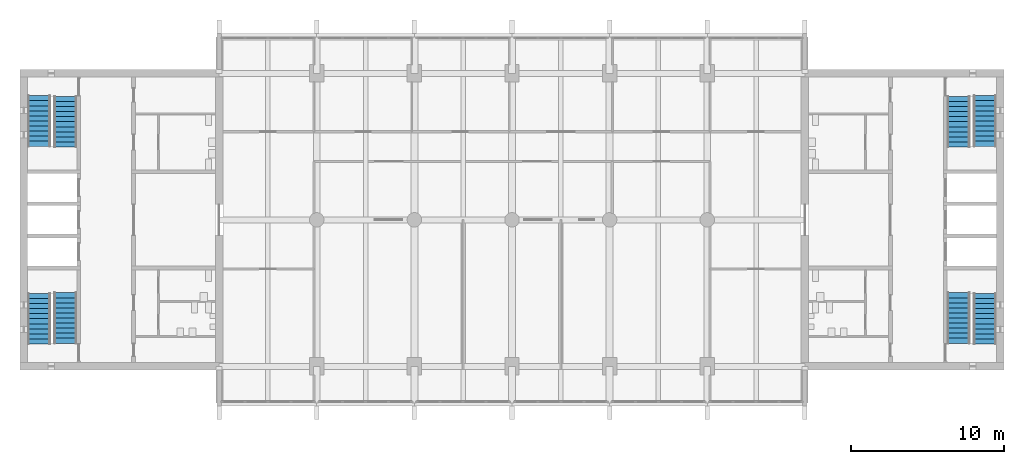
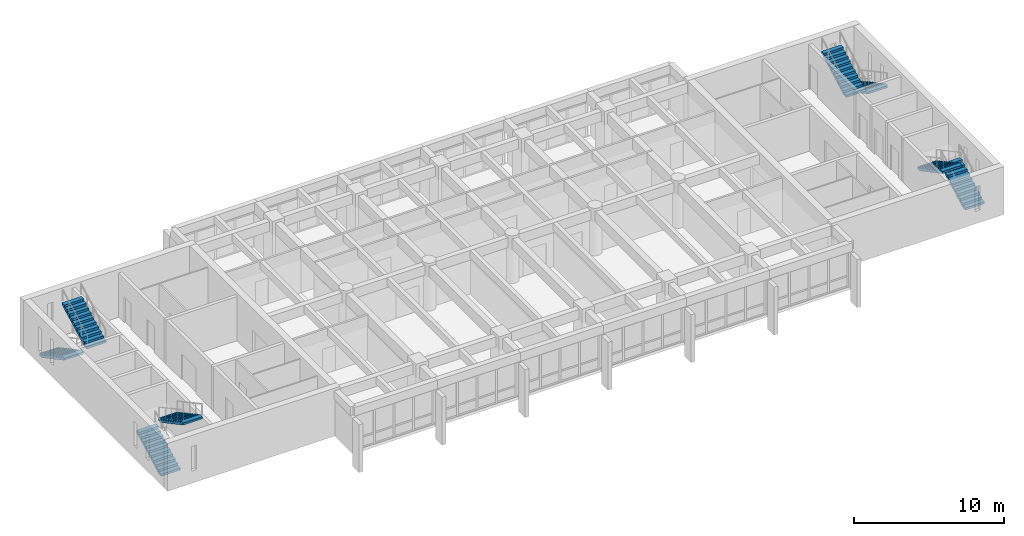
# One storey, part 13 of 15: 8 stair flights, 4 elements without a shape of their own.
"""IFC4 building model written with IfcOpenShell, lengths in metres."""

from ifc_helpers import new_model, si_unit, direction, frame, origin, place, context, subcontext, project, spatial, polyline, outline, extrude, material, type_object, element, aggregate, save


model = new_model("IFC4")

# Units and contexts
model_context = context("Model", 3, precision=1e-05, world=origin(), true_north=direction((0.0, 1.0)))
body_context = subcontext(model_context, "Body", "Model", "MODEL_VIEW")
ifc_project = project(units=[si_unit("LENGTHUNIT", "METRE"), si_unit("AREAUNIT", "SQUARE_METRE"), si_unit("VOLUMEUNIT", "CUBIC_METRE"), si_unit("PLANEANGLEUNIT", "RADIAN"), si_unit("MASSUNIT", "GRAM", prefix="KILO")], contexts=[model_context])

# Site, building, storey
site_placement = place(None, origin())
site = spatial("IfcSite", under=ifc_project, at=site_placement, CompositionType="ELEMENT")
building_placement = place(site_placement, origin())
building = spatial("IfcBuilding", under=site, at=building_placement, Name="Fogon Plaza Fire Station and Headquarters Tower", CompositionType="ELEMENT")
storey_placement = place(building_placement, frame((0.0, 0.0, 40.5)))
storey = spatial("IfcBuildingStorey", under=building, at=storey_placement, Name="L10", CompositionType="ELEMENT", Elevation=40.5)

# Stair, stair flights
ifc_material_1 = material(Name="Concrete C40", Category="concrete")
stair_type = type_object("IfcStairType", Name="Exit Stair Two Flights", PredefinedType="TWO_STRAIGHT_RUN_STAIR", material=ifc_material_1)
stair_1_placement = place(storey_placement, origin())
stair_1 = element("IfcStair", 1, at=stair_1_placement, inside=storey, type_object=stair_type, Name="Stair ST1", PredefinedType="TWO_STRAIGHT_RUN_STAIR")
ifc_material_2 = material(Name="Concrete C40", Category="concrete")
stair_flight_type = type_object("IfcStairFlightType", Name="Stair Flight 11 Risers", PredefinedType="STRAIGHT", material=ifc_material_2)
stair_flight_1_placement = place(storey_placement, frame((13.800048828125, 35.060791015625, 0.0), z_axis=(0.0, 0.0, 1.0), x_axis=(0.0, 1.0, 0.0)))
stair_flight_1 = element("IfcStairFlight", 2, at=stair_flight_1_placement, type_object=stair_flight_type, Name="ST1 flight F23", NumberOfRisers=11, NumberOfTreads=10, PredefinedType="STRAIGHT", RiserHeight=0.177272727, TreadLength=0.3315, context=body_context, shape_type="SweptSolid", body=[
    extrude(outline(polyline([(0.0, 0.0), (0.0, 0.17724609375), (0.33154296875, 0.17724609375), (0.33154296875, 0.3544921875), (0.6630859375, 0.3544921875), (0.6630859375, 0.53173828125), (0.994384765625, 0.53173828125), (0.994384765625, 0.708984375), (1.325927734375, 0.708984375), (1.325927734375, 0.886474609375), (1.657470703125, 0.886474609375), (1.657470703125, 1.063720703125), (1.989013671875, 1.063720703125), (1.989013671875, 1.240966796875), (2.320556640625, 1.240966796875), (2.320556640625, 1.418212890625), (2.652099609375, 1.418212890625), (2.652099609375, 1.595458984375), (2.9833984375, 1.595458984375), (2.9833984375, 1.772705078125), (3.31494140625, 1.772705078125), (3.31494140625, 1.949951171875), (3.31494140625, 1.602783203125), (0.31787109375, 0.0), (0.0, 0.0)])), frame((0.0, 0.75, 0.0), z_axis=(0.0, -1.0, 0.0), x_axis=(1.0, 0.0, 0.0)), (0.0, 0.0, 1.0), 1.5),
])
stair_flight_2_placement = place(storey_placement, frame((15.52490234375, 38.42431640625, 1.949951171875), z_axis=(0.0, 0.0, 1.0), x_axis=(0.0, -1.0, 0.0)))
stair_flight_2 = element("IfcStairFlight", 3, at=stair_flight_2_placement, type_object=stair_flight_type, Name="ST1 flight F24", NumberOfRisers=11, NumberOfTreads=10, PredefinedType="STRAIGHT", RiserHeight=0.177272727, TreadLength=0.3315, context=body_context, shape_type="SweptSolid", body=[
    extrude(outline(polyline([(0.0, 0.0), (0.0, 0.17724609375), (0.33154296875, 0.17724609375), (0.33154296875, 0.3544921875), (0.6630859375, 0.3544921875), (0.6630859375, 0.53173828125), (0.994384765625, 0.53173828125), (0.994384765625, 0.708984375), (1.325927734375, 0.708984375), (1.325927734375, 0.886474609375), (1.657470703125, 0.886474609375), (1.657470703125, 1.063720703125), (1.989013671875, 1.063720703125), (1.989013671875, 1.240966796875), (2.320556640625, 1.240966796875), (2.320556640625, 1.418212890625), (2.652099609375, 1.418212890625), (2.652099609375, 1.595458984375), (2.9833984375, 1.595458984375), (2.9833984375, 1.772705078125), (3.31494140625, 1.772705078125), (3.31494140625, 1.949951171875), (3.31494140625, 1.602783203125), (0.31787109375, 0.0), (0.0, 0.0)])), frame((0.0, 0.75, 0.0), z_axis=(0.0, -1.0, 0.0), x_axis=(1.0, 0.0, 0.0)), (0.0, 0.0, 1.0), 1.5),
])
aggregate(stair_1, [stair_flight_1, stair_flight_2])

stair_2_placement = place(storey_placement, origin())
stair_2 = element("IfcStair", 4, at=stair_2_placement, inside=storey, type_object=stair_type, Name="Stair ST2", PredefinedType="TWO_STRAIGHT_RUN_STAIR")
stair_flight_3_placement = place(storey_placement, frame((13.800048828125, 51.33935546875, 0.0), z_axis=(0.0, 0.0, 1.0), x_axis=(0.0, -1.0, 0.0)))
stair_flight_3 = element("IfcStairFlight", 5, at=stair_flight_3_placement, type_object=stair_flight_type, Name="ST2 flight F23", NumberOfRisers=11, NumberOfTreads=10, PredefinedType="STRAIGHT", RiserHeight=0.177272727, TreadLength=0.3315, context=body_context, shape_type="SweptSolid", body=[
    extrude(outline(polyline([(0.0, 0.0), (0.0, 0.17724609375), (0.33154296875, 0.17724609375), (0.33154296875, 0.3544921875), (0.6630859375, 0.3544921875), (0.6630859375, 0.53173828125), (0.994384765625, 0.53173828125), (0.994384765625, 0.708984375), (1.325927734375, 0.708984375), (1.325927734375, 0.886474609375), (1.657470703125, 0.886474609375), (1.657470703125, 1.063720703125), (1.989013671875, 1.063720703125), (1.989013671875, 1.240966796875), (2.320556640625, 1.240966796875), (2.320556640625, 1.418212890625), (2.652099609375, 1.418212890625), (2.652099609375, 1.595458984375), (2.9833984375, 1.595458984375), (2.9833984375, 1.772705078125), (3.31494140625, 1.772705078125), (3.31494140625, 1.949951171875), (3.31494140625, 1.602783203125), (0.31787109375, 0.0), (0.0, 0.0)])), frame((0.0, 0.75, 0.0), z_axis=(0.0, -1.0, 0.0), x_axis=(1.0, 0.0, 0.0)), (0.0, 0.0, 1.0), 1.5),
])
stair_flight_4_placement = place(storey_placement, frame((15.52490234375, 47.975830078125, 1.949951171875), z_axis=(0.0, 0.0, 1.0), x_axis=(0.0, 1.0, 0.0)))
stair_flight_4 = element("IfcStairFlight", 6, at=stair_flight_4_placement, type_object=stair_flight_type, Name="ST2 flight F24", NumberOfRisers=11, NumberOfTreads=10, PredefinedType="STRAIGHT", RiserHeight=0.177272727, TreadLength=0.3315, context=body_context, shape_type="SweptSolid", body=[
    extrude(outline(polyline([(0.0, 0.0), (0.0, 0.17724609375), (0.33154296875, 0.17724609375), (0.33154296875, 0.3544921875), (0.6630859375, 0.3544921875), (0.6630859375, 0.53173828125), (0.994384765625, 0.53173828125), (0.994384765625, 0.708984375), (1.325927734375, 0.708984375), (1.325927734375, 0.886474609375), (1.657470703125, 0.886474609375), (1.657470703125, 1.063720703125), (1.989013671875, 1.063720703125), (1.989013671875, 1.240966796875), (2.320556640625, 1.240966796875), (2.320556640625, 1.418212890625), (2.652099609375, 1.418212890625), (2.652099609375, 1.595458984375), (2.9833984375, 1.595458984375), (2.9833984375, 1.772705078125), (3.31494140625, 1.772705078125), (3.31494140625, 1.949951171875), (3.31494140625, 1.602783203125), (0.31787109375, 0.0), (0.0, 0.0)])), frame((0.0, 0.75, 0.0), z_axis=(0.0, -1.0, 0.0), x_axis=(1.0, 0.0, 0.0)), (0.0, 0.0, 1.0), 1.5),
])
aggregate(stair_2, [stair_flight_3, stair_flight_4])

stair_3_placement = place(storey_placement, origin())
stair_3 = element("IfcStair", 7, at=stair_3_placement, inside=storey, type_object=stair_type, Name="Stair ST3", PredefinedType="TWO_STRAIGHT_RUN_STAIR")
stair_flight_5_placement = place(storey_placement, frame((75.800048828125, 35.060791015625, 0.0), z_axis=(0.0, 0.0, 1.0), x_axis=(0.0, 1.0, 0.0)))
stair_flight_5 = element("IfcStairFlight", 8, at=stair_flight_5_placement, type_object=stair_flight_type, Name="ST3 flight F23", NumberOfRisers=11, NumberOfTreads=10, PredefinedType="STRAIGHT", RiserHeight=0.177272727, TreadLength=0.3315, context=body_context, shape_type="SweptSolid", body=[
    extrude(outline(polyline([(0.0, 0.0), (0.0, 0.17724609375), (0.33154296875, 0.17724609375), (0.33154296875, 0.3544921875), (0.6630859375, 0.3544921875), (0.6630859375, 0.53173828125), (0.994384765625, 0.53173828125), (0.994384765625, 0.708984375), (1.325927734375, 0.708984375), (1.325927734375, 0.886474609375), (1.657470703125, 0.886474609375), (1.657470703125, 1.063720703125), (1.989013671875, 1.063720703125), (1.989013671875, 1.240966796875), (2.320556640625, 1.240966796875), (2.320556640625, 1.418212890625), (2.652099609375, 1.418212890625), (2.652099609375, 1.595458984375), (2.9833984375, 1.595458984375), (2.9833984375, 1.772705078125), (3.31494140625, 1.772705078125), (3.31494140625, 1.949951171875), (3.31494140625, 1.602783203125), (0.31787109375, 0.0), (0.0, 0.0)])), frame((0.0, 0.75, 0.0), z_axis=(0.0, -1.0, 0.0), x_axis=(1.0, 0.0, 0.0)), (0.0, 0.0, 1.0), 1.5),
])
stair_flight_6_placement = place(storey_placement, frame((74.074951171875, 38.42431640625, 1.949951171875), z_axis=(0.0, 0.0, 1.0), x_axis=(0.0, -1.0, 0.0)))
stair_flight_6 = element("IfcStairFlight", 9, at=stair_flight_6_placement, type_object=stair_flight_type, Name="ST3 flight F24", NumberOfRisers=11, NumberOfTreads=10, PredefinedType="STRAIGHT", RiserHeight=0.177272727, TreadLength=0.3315, context=body_context, shape_type="SweptSolid", body=[
    extrude(outline(polyline([(0.0, 0.0), (0.0, 0.17724609375), (0.33154296875, 0.17724609375), (0.33154296875, 0.3544921875), (0.6630859375, 0.3544921875), (0.6630859375, 0.53173828125), (0.994384765625, 0.53173828125), (0.994384765625, 0.708984375), (1.325927734375, 0.708984375), (1.325927734375, 0.886474609375), (1.657470703125, 0.886474609375), (1.657470703125, 1.063720703125), (1.989013671875, 1.063720703125), (1.989013671875, 1.240966796875), (2.320556640625, 1.240966796875), (2.320556640625, 1.418212890625), (2.652099609375, 1.418212890625), (2.652099609375, 1.595458984375), (2.9833984375, 1.595458984375), (2.9833984375, 1.772705078125), (3.31494140625, 1.772705078125), (3.31494140625, 1.949951171875), (3.31494140625, 1.602783203125), (0.31787109375, 0.0), (0.0, 0.0)])), frame((0.0, 0.75, 0.0), z_axis=(0.0, -1.0, 0.0), x_axis=(1.0, 0.0, 0.0)), (0.0, 0.0, 1.0), 1.5),
])
aggregate(stair_3, [stair_flight_5, stair_flight_6])

stair_4_placement = place(storey_placement, origin())
stair_4 = element("IfcStair", 10, at=stair_4_placement, inside=storey, type_object=stair_type, Name="Stair ST4", PredefinedType="TWO_STRAIGHT_RUN_STAIR")
stair_flight_7_placement = place(storey_placement, frame((75.800048828125, 51.33935546875, 0.0), z_axis=(0.0, 0.0, 1.0), x_axis=(0.0, -1.0, 0.0)))
stair_flight_7 = element("IfcStairFlight", 11, at=stair_flight_7_placement, type_object=stair_flight_type, Name="ST4 flight F23", NumberOfRisers=11, NumberOfTreads=10, PredefinedType="STRAIGHT", RiserHeight=0.177272727, TreadLength=0.3315, context=body_context, shape_type="SweptSolid", body=[
    extrude(outline(polyline([(0.0, 0.0), (0.0, 0.17724609375), (0.33154296875, 0.17724609375), (0.33154296875, 0.3544921875), (0.6630859375, 0.3544921875), (0.6630859375, 0.53173828125), (0.994384765625, 0.53173828125), (0.994384765625, 0.708984375), (1.325927734375, 0.708984375), (1.325927734375, 0.886474609375), (1.657470703125, 0.886474609375), (1.657470703125, 1.063720703125), (1.989013671875, 1.063720703125), (1.989013671875, 1.240966796875), (2.320556640625, 1.240966796875), (2.320556640625, 1.418212890625), (2.652099609375, 1.418212890625), (2.652099609375, 1.595458984375), (2.9833984375, 1.595458984375), (2.9833984375, 1.772705078125), (3.31494140625, 1.772705078125), (3.31494140625, 1.949951171875), (3.31494140625, 1.602783203125), (0.31787109375, 0.0), (0.0, 0.0)])), frame((0.0, 0.75, 0.0), z_axis=(0.0, -1.0, 0.0), x_axis=(1.0, 0.0, 0.0)), (0.0, 0.0, 1.0), 1.5),
])
stair_flight_8_placement = place(storey_placement, frame((74.074951171875, 47.975830078125, 1.949951171875), z_axis=(0.0, 0.0, 1.0), x_axis=(0.0, 1.0, 0.0)))
stair_flight_8 = element("IfcStairFlight", 12, at=stair_flight_8_placement, type_object=stair_flight_type, Name="ST4 flight F24", NumberOfRisers=11, NumberOfTreads=10, PredefinedType="STRAIGHT", RiserHeight=0.177272727, TreadLength=0.3315, context=body_context, shape_type="SweptSolid", body=[
    extrude(outline(polyline([(0.0, 0.0), (0.0, 0.17724609375), (0.33154296875, 0.17724609375), (0.33154296875, 0.3544921875), (0.6630859375, 0.3544921875), (0.6630859375, 0.53173828125), (0.994384765625, 0.53173828125), (0.994384765625, 0.708984375), (1.325927734375, 0.708984375), (1.325927734375, 0.886474609375), (1.657470703125, 0.886474609375), (1.657470703125, 1.063720703125), (1.989013671875, 1.063720703125), (1.989013671875, 1.240966796875), (2.320556640625, 1.240966796875), (2.320556640625, 1.418212890625), (2.652099609375, 1.418212890625), (2.652099609375, 1.595458984375), (2.9833984375, 1.595458984375), (2.9833984375, 1.772705078125), (3.31494140625, 1.772705078125), (3.31494140625, 1.949951171875), (3.31494140625, 1.602783203125), (0.31787109375, 0.0), (0.0, 0.0)])), frame((0.0, 0.75, 0.0), z_axis=(0.0, -1.0, 0.0), x_axis=(1.0, 0.0, 0.0)), (0.0, 0.0, 1.0), 1.5),
])
aggregate(stair_4, [stair_flight_7, stair_flight_8])

save(model, "model.ifc")
